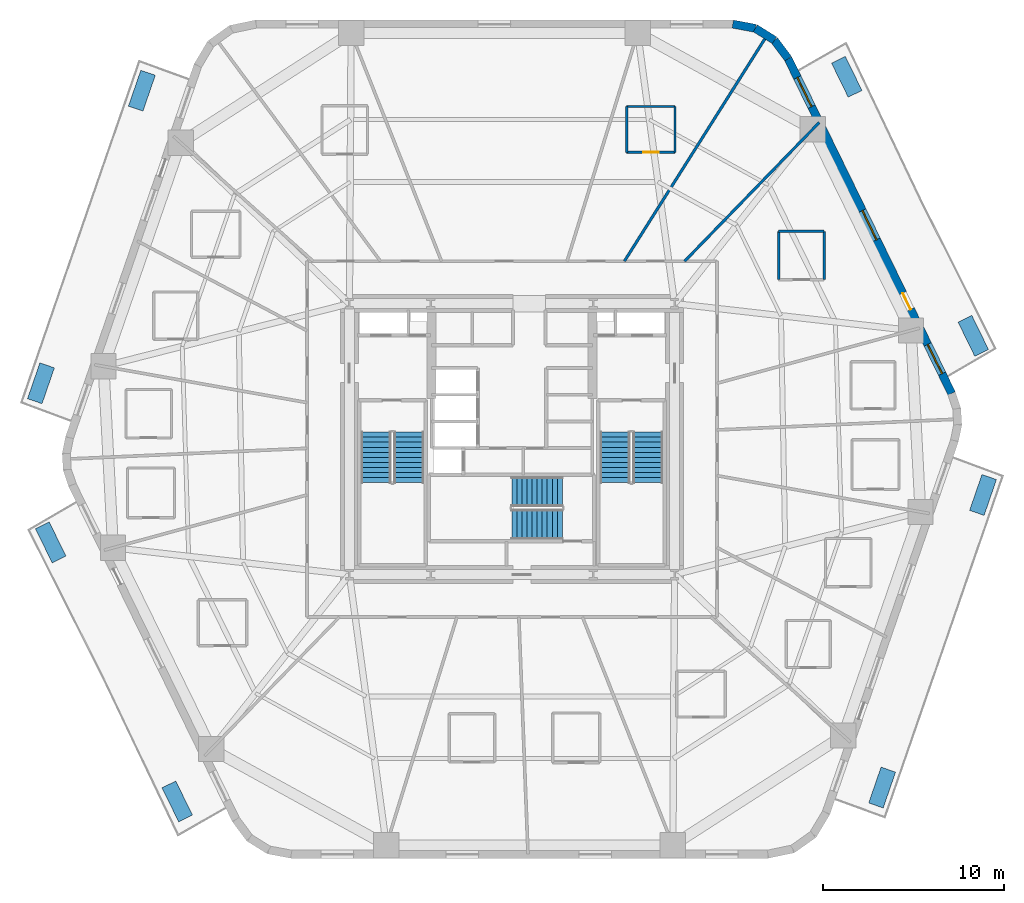
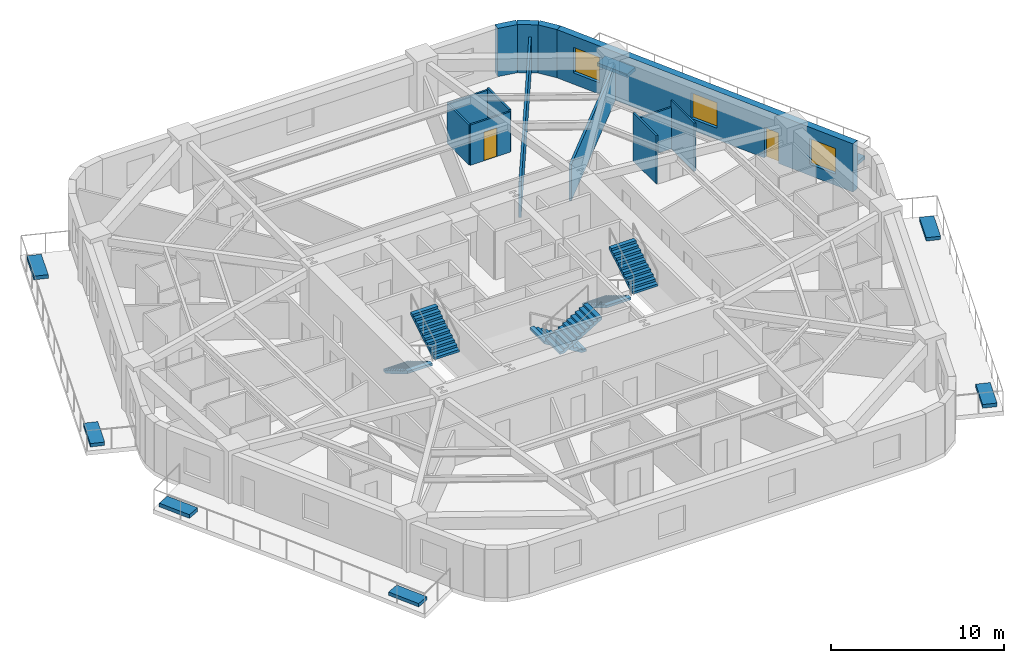
# One storey, part 7 of 10: 13 walls, 8 discrete accessories, 6 stair flights, 3 windows, 2 doors, 5 openings, 3 elements without a shape of their own.
"""IFC4 building model written with IfcOpenShell, lengths in metres."""

from ifc_helpers import new_model, si_unit, direction, frame, frame_2d, origin, origin_2d, place, context, subcontext, project, spatial, polyline, rectangle, outline, extrude, material, layer, layer_set, type_object, element, fill, aggregate, save


model = new_model("IFC4")

# Units and contexts
model_context = context("Model", 3, precision=1e-05, world=origin(), true_north=direction((0.0, 1.0)))
body_context = subcontext(model_context, "Body", "Model", "MODEL_VIEW")
ifc_project = project(units=[si_unit("LENGTHUNIT", "METRE"), si_unit("AREAUNIT", "SQUARE_METRE"), si_unit("VOLUMEUNIT", "CUBIC_METRE"), si_unit("PLANEANGLEUNIT", "RADIAN"), si_unit("MASSUNIT", "GRAM", prefix="KILO")], contexts=[model_context])

# Site, building, storey
site_placement = place(None, origin())
site = spatial("IfcSite", under=ifc_project, at=site_placement, CompositionType="ELEMENT")
building_placement = place(site_placement, origin())
building = spatial("IfcBuilding", under=site, at=building_placement, Name="Kilnhurst Terrace Hotel", CompositionType="ELEMENT")
storey_placement = place(building_placement, frame((0.0, 0.0, 49.0)))
storey = spatial("IfcBuildingStorey", under=building, at=storey_placement, Name="L10", CompositionType="ELEMENT", Elevation=49.0)

# Walls
ifc_material_1 = material(Name="Precast concrete C40/50", Category="concrete")
ifc_layer_1 = layer(ifc_material_1, 0.449951171875, Name="Precast concrete C40/50")
ifc_layer_set_1 = layer_set([ifc_layer_1], Name="Precast concrete C40/50")
wall_type_1 = type_object("IfcWallType", Name="WL-BRK-450", PredefinedType="SOLIDWALL", material=ifc_layer_set_1)
wall_1_placement = place(storey_placement, frame((15.28369140625, 21.0625, 0.0), z_axis=(0.0, 0.0, 1.0), x_axis=(-0.597595366449, 0.801797841104, 0.0)))
element("IfcWall", 1, at=wall_1_placement, inside=storey, type_object=wall_type_1, Name="L10 Rounded Corner Brick Wall C4.1", PredefinedType="SOLIDWALL", context=body_context, shape_type="SweptSolid", body=[
    extrude(rectangle(XDim=1.2685546875, YDim=0.449951171875, at=frame_2d((0.63427734375, 0.0))), origin(), (0.0, 0.0, 1.0), 3.39990234375),
])
wall_2_placement = place(storey_placement, frame((14.525634765625, 22.07958984375, 0.0), z_axis=(0.0, 0.0, 1.0), x_axis=(-0.848185203596, 0.529699783275, 0.0)))
element("IfcWall", 2, at=wall_2_placement, inside=storey, type_object=wall_type_1, Name="L10 Rounded Corner Brick Wall C4.2", PredefinedType="SOLIDWALL", context=body_context, shape_type="SweptSolid", body=[
    extrude(rectangle(XDim=1.247314453125, YDim=0.449951171875, at=frame_2d((0.62353515625, 0.0))), origin(), (0.0, 0.0, 1.0), 3.39990234375),
])
wall_3_placement = place(storey_placement, frame((13.4677734375, 22.740234375, 0.0), z_axis=(0.0, 0.0, 1.0), x_axis=(-0.982717174228, 0.185113358451, 0.0)))
element("IfcWall", 3, at=wall_3_placement, inside=storey, type_object=wall_type_1, Name="L10 Rounded Corner Brick Wall C4.3", PredefinedType="SOLIDWALL", context=body_context, shape_type="SweptSolid", body=[
    extrude(rectangle(XDim=1.268798828125, YDim=0.449951171875, at=frame_2d((0.63427734375, 0.0))), origin(), (0.0, 0.0, 1.0), 3.39990234375),
])

# Wall, openings, door, windows
wall_4_placement = place(storey_placement, frame((24.335693359375, 2.532470703125, 0.0), z_axis=(0.0, 0.0, 1.0), x_axis=(-0.438931326393, 0.898520612291, 0.0)))
wall_4 = element("IfcWall", 4, at=wall_4_placement, inside=storey, type_object=wall_type_1, Name="L10 Exterior Brick Facade Wall F3", PredefinedType="SOLIDWALL", context=body_context, shape_type="SweptSolid", body=[
    extrude(rectangle(XDim=20.622802734375, YDim=0.449951171875, at=frame_2d((10.3115234375, 0.0))), origin(), (0.0, 0.0, 1.0), 3.39990234375),
])
opening_1_placement = place(wall_4_placement, frame((5.1708984375, 0.0, 0.0)))
opening_1 = element("IfcOpeningElement", 5, at=opening_1_placement, cuts=wall_4, Name="Opening BD-1000", PredefinedType="OPENING", context=body_context, shape_type="SweptSolid", body=[
    extrude(rectangle(XDim=1.0, YDim=2.14990234375, at=frame_2d((0.5, 1.074951171875))), frame((0.0, 0.23486328125, 0.0), z_axis=(0.0, -1.0, 0.0), x_axis=(1.0, 0.0, 0.0)), (0.0, 0.0, 1.0), 0.469970703125),
])
opening_2_placement = place(wall_4_placement, frame((1.214111328125, 0.0, 0.800048828125)))
opening_2 = element("IfcOpeningElement", 6, at=opening_2_placement, cuts=wall_4, Name="Opening W-01", PredefinedType="OPENING", context=body_context, shape_type="SweptSolid", body=[
    extrude(rectangle(XDim=1.800048828125, YDim=1.800048828125, at=frame_2d((0.89990234375, 0.89990234375))), frame((0.0, 0.23486328125, 0.0), z_axis=(0.0, -1.0, 0.0), x_axis=(1.0, 0.0, 0.0)), (0.0, 0.0, 1.0), 0.469970703125),
])
opening_3_placement = place(wall_4_placement, frame((9.4619140625, 0.0, 0.800048828125)))
opening_3 = element("IfcOpeningElement", 7, at=opening_3_placement, cuts=wall_4, Name="Opening W-01", PredefinedType="OPENING", context=body_context, shape_type="SweptSolid", body=[
    extrude(rectangle(XDim=1.800048828125, YDim=1.800048828125, at=frame_2d((0.89990234375, 0.89990234375))), frame((0.0, 0.23486328125, 0.0), z_axis=(0.0, -1.0, 0.0), x_axis=(1.0, 0.0, 0.0)), (0.0, 0.0, 1.0), 0.469970703125),
])
opening_4_placement = place(wall_4_placement, frame((17.659912109375, 0.0, 0.800048828125)))
opening_4 = element("IfcOpeningElement", 8, at=opening_4_placement, cuts=wall_4, Name="Opening W-01", PredefinedType="OPENING", context=body_context, shape_type="SweptSolid", body=[
    extrude(rectangle(XDim=1.800048828125, YDim=1.800048828125, at=frame_2d((0.89990234375, 0.89990234375))), frame((0.0, 0.23486328125, 0.0), z_axis=(0.0, -1.0, 0.0), x_axis=(1.0, 0.0, 0.0)), (0.0, 0.0, 1.0), 0.469970703125),
])
ifc_material_2 = material(Name="Thermally Broken Bronze Aluminium Alloy 6063-T6 and Laminated Glass", Category="aluminium")
door_type_1 = type_object("IfcDoorType", Name="DR-EXT-BAL-1000", OperationType="NOTDEFINED", PredefinedType="DOOR", material=ifc_material_2)
door_1_placement = place(opening_1_placement, origin())
door_1 = element("IfcDoor", 9, at=door_1_placement, inside=storey, type_object=door_type_1, Name="L10 Planted Balcony Door BAL-L1B", OperationType="SINGLE_SWING_LEFT", OverallHeight=2.14990234375, OverallWidth=1.0, PredefinedType="DOOR", context=body_context, shape_type="SweptSolid", body=[
    extrude(rectangle(XDim=1.0, YDim=2.14990234375, at=frame_2d((0.5, 1.074951171875))), frame((0.0, 0.02490234375, 0.0), z_axis=(0.0, -1.0, 0.0), x_axis=(1.0, 0.0, 0.0)), (0.0, 0.0, 1.0), 0.050048828125),
])
fill(opening_1, door_1)
ifc_material_3 = material(Name="Thermally Broken Bronze Aluminium Alloy 6063-T6 and Low-E Glass", Category="aluminium")
window_type = type_object("IfcWindowType", Name="WIN-1800X1800", PartitioningType="SINGLE_PANEL", PredefinedType="WINDOW", material=ifc_material_3)
window_1_placement = place(opening_2_placement, origin())
window_1 = element("IfcWindow", 10, at=window_1_placement, inside=storey, type_object=window_type, Name="L10 Deep-Set Masonry Window F3.1", OverallHeight=1.800048828125, OverallWidth=1.800048828125, PartitioningType="SINGLE_PANEL", PredefinedType="WINDOW", context=body_context, shape_type="SweptSolid", body=[
    extrude(rectangle(XDim=1.800048828125, YDim=1.800048828125, at=frame_2d((0.89990234375, 0.89990234375))), frame((0.0, 0.030029296875, 0.0), z_axis=(0.0, -1.0, 0.0), x_axis=(1.0, 0.0, 0.0)), (0.0, 0.0, 1.0), 0.06005859375),
])
fill(opening_2, window_1)
window_2_placement = place(opening_3_placement, origin())
window_2 = element("IfcWindow", 11, at=window_2_placement, inside=storey, type_object=window_type, Name="L10 Deep-Set Masonry Window F3.2", OverallHeight=1.800048828125, OverallWidth=1.800048828125, PartitioningType="SINGLE_PANEL", PredefinedType="WINDOW", context=body_context, shape_type="SweptSolid", body=[
    extrude(rectangle(XDim=1.800048828125, YDim=1.800048828125, at=frame_2d((0.89990234375, 0.89990234375))), frame((0.0, 0.030029296875, 0.0), z_axis=(0.0, -1.0, 0.0), x_axis=(1.0, 0.0, 0.0)), (0.0, 0.0, 1.0), 0.06005859375),
])
fill(opening_3, window_2)
window_3_placement = place(opening_4_placement, origin())
window_3 = element("IfcWindow", 12, at=window_3_placement, inside=storey, type_object=window_type, Name="L10 Deep-Set Masonry Window F3.3", OverallHeight=1.800048828125, OverallWidth=1.800048828125, PartitioningType="SINGLE_PANEL", PredefinedType="WINDOW", context=body_context, shape_type="SweptSolid", body=[
    extrude(rectangle(XDim=1.800048828125, YDim=1.800048828125, at=frame_2d((0.89990234375, 0.89990234375))), frame((0.0, 0.030029296875, 0.0), z_axis=(0.0, -1.0, 0.0), x_axis=(1.0, 0.0, 0.0)), (0.0, 0.0, 1.0), 0.06005859375),
])
fill(opening_4, window_3)

# Walls
ifc_material_4 = material(Name="STC-58 Acoustic Twin-Frame Guestroom Demising Partition")
ifc_layer_2 = layer(ifc_material_4, 0.14990234375, Name="STC-58 Acoustic Twin-Frame Guestroom Demising Partition")
ifc_layer_set_2 = layer_set([ifc_layer_2], Name="STC-58 Acoustic Twin-Frame Guestroom Demising Partition")
wall_type_2 = type_object("IfcWallType", Name="WL-DEM-150", PredefinedType="PARTITIONING", material=ifc_layer_set_2)
wall_5_placement = place(storey_placement, frame((9.5576171875, 9.85009765625, 0.0), z_axis=(0.0, 0.0, 1.0), x_axis=(0.69638346089, 0.717669893056, 0.0)))
element("IfcWall", 13, at=wall_5_placement, inside=storey, type_object=wall_type_2, Name="L10 Interior Wall WL-L10-DEM-COL02-03-1", PredefinedType="PARTITIONING", context=body_context, shape_type="SweptSolid", body=[
    extrude(rectangle(XDim=10.700927734375, YDim=0.14990234375, at=frame_2d((5.3505859375, 0.0))), origin(), (0.0, 0.0, 1.0), 2.5400390625),
])
wall_6_placement = place(storey_placement, frame((6.222412109375, 9.85009765625, 0.0), z_axis=(0.0, 0.0, 1.0), x_axis=(0.534069056435, 0.845440857162, 0.0)))
element("IfcWall", 14, at=wall_6_placement, inside=storey, type_object=wall_type_2, Name="L10 Interior Wall WL-L10-DEM-MID02-04-1", PredefinedType="PARTITIONING", context=body_context, shape_type="SweptSolid", body=[
    extrude(rectangle(XDim=14.611328125, YDim=0.14990234375, at=frame_2d((7.3056640625, 0.0))), origin(), (0.0, 0.0, 1.0), 2.5400390625),
])
ifc_material_5 = material(Name="120 mm Moisture-Resistant Tile-Backed Bathroom Partition")
ifc_layer_3 = layer(ifc_material_5, 0.1201171875, Name="120 mm Moisture-Resistant Tile-Backed Bathroom Partition")
ifc_layer_set_3 = layer_set([ifc_layer_3], Name="120 mm Moisture-Resistant Tile-Backed Bathroom Partition")
wall_type_3 = type_object("IfcWallType", Name="WL-PART-120", PredefinedType="PARTITIONING", material=ifc_layer_set_3)
wall_7_placement = place(storey_placement, frame((17.283935546875, 8.824951171875, 0.0), z_axis=(0.0, 0.0, 1.0), x_axis=(0.0, 1.0, 0.0)))
element("IfcWall", 15, at=wall_7_placement, inside=storey, type_object=wall_type_3, Name="L10 Interior Wall WL-L10-BTH-02-2", PredefinedType="PARTITIONING", context=body_context, shape_type="SweptSolid", body=[
    extrude(rectangle(XDim=2.679931640625, YDim=0.1201171875, at=frame_2d((1.33984375, 0.0))), origin(), (0.0, 0.0, 1.0), 3.39990234375),
])
wall_8_placement = place(storey_placement, frame((17.283935546875, 11.5048828125, 0.0), z_axis=(0.0, 0.0, 1.0), x_axis=(-1.0, 0.0, 0.0)))
element("IfcWall", 16, at=wall_8_placement, inside=storey, type_object=wall_type_3, Name="L10 Interior Wall WL-L10-BTH-02-3", PredefinedType="PARTITIONING", context=body_context, shape_type="SweptSolid", body=[
    extrude(rectangle(XDim=2.52001953125, YDim=0.1201171875, at=frame_2d((1.260009765625, 0.0))), origin(), (0.0, 0.0, 1.0), 2.926513671875),
])
wall_9_placement = place(storey_placement, frame((14.763916015625, 11.5048828125, 0.0), z_axis=(0.0, 0.0, 1.0), x_axis=(0.0, -1.0, 0.0)))
element("IfcWall", 17, at=wall_9_placement, inside=storey, type_object=wall_type_3, Name="L10 Interior Wall WL-L10-BTH-02-4", PredefinedType="PARTITIONING", context=body_context, shape_type="SweptSolid", body=[
    extrude(rectangle(XDim=2.679931640625, YDim=0.1201171875, at=frame_2d((1.33984375, 0.0))), origin(), (0.0, 0.0, 1.0), 3.39990234375),
])

# Wall, opening, door
wall_10_placement = place(storey_placement, frame((6.35107421875, 15.876953125, 0.0), z_axis=(0.0, 0.0, 1.0), x_axis=(1.0, 0.0, 0.0)))
wall_10 = element("IfcWall", 18, at=wall_10_placement, inside=storey, type_object=wall_type_3, Name="L10 Interior Wall WL-L10-BTH-04-1", PredefinedType="PARTITIONING", context=body_context, shape_type="SweptSolid", body=[
    extrude(rectangle(XDim=2.679931640625, YDim=0.1201171875, at=frame_2d((1.33984375, 0.0))), origin(), (0.0, 0.0, 1.0), 2.840087890625),
])
opening_5_placement = place(wall_10_placement, frame((0.9150390625, 0.0, 0.0)))
opening_5 = element("IfcOpeningElement", 19, at=opening_5_placement, cuts=wall_10, Name="Opening D-08A", PredefinedType="OPENING", context=body_context, shape_type="SweptSolid", body=[
    extrude(rectangle(XDim=0.85009765625, YDim=2.030029296875, at=frame_2d((0.425048828125, 1.01513671875))), frame((0.0, 0.070068359375, 0.0), z_axis=(0.0, -1.0, 0.0), x_axis=(1.0, 0.0, 0.0)), (0.0, 0.0, 1.0), 0.14013671875),
])
ifc_material_6 = material(Name="Moisture-Resistant Lacquered En-suite Bathroom Door")
door_type_2 = type_object("IfcDoorType", Name="DR-INT-850", OperationType="NOTDEFINED", PredefinedType="DOOR", material=ifc_material_6)
door_2_placement = place(opening_5_placement, origin())
door_2 = element("IfcDoor", 20, at=door_2_placement, inside=storey, type_object=door_type_2, Name="L10 En-suite Bathroom Door 4", OperationType="SINGLE_SWING_LEFT", OverallHeight=2.030029296875, OverallWidth=0.85009765625, PredefinedType="DOOR", context=body_context, shape_type="SweptSolid", body=[
    extrude(rectangle(XDim=0.85009765625, YDim=2.030029296875, at=frame_2d((0.425048828125, 1.01513671875))), frame((0.0, 0.02490234375, 0.0), z_axis=(0.0, -1.0, 0.0), x_axis=(1.0, 0.0, 0.0)), (0.0, 0.0, 1.0), 0.050048828125),
])
fill(opening_5, door_2)

# Walls
wall_11_placement = place(storey_placement, frame((9.031005859375, 15.876953125, 0.0), z_axis=(0.0, 0.0, 1.0), x_axis=(0.0, 1.0, 0.0)))
element("IfcWall", 21, at=wall_11_placement, inside=storey, type_object=wall_type_3, Name="L10 Interior Wall WL-L10-BTH-04-2", PredefinedType="PARTITIONING", context=body_context, shape_type="SweptSolid", body=[
    extrude(rectangle(XDim=2.5400390625, YDim=0.1201171875, at=frame_2d((1.27001953125, 0.0))), origin(), (0.0, 0.0, 1.0), 2.972412109375),
])
wall_12_placement = place(storey_placement, frame((9.031005859375, 18.4169921875, 0.0), z_axis=(0.0, 0.0, 1.0), x_axis=(-1.0, 0.0, 0.0)))
element("IfcWall", 22, at=wall_12_placement, inside=storey, type_object=wall_type_3, Name="L10 Interior Wall WL-L10-BTH-04-3", PredefinedType="PARTITIONING", context=body_context, shape_type="SweptSolid", body=[
    extrude(rectangle(XDim=2.679931640625, YDim=0.1201171875, at=frame_2d((1.33984375, 0.0))), origin(), (0.0, 0.0, 1.0), 2.840087890625),
])
wall_13_placement = place(storey_placement, frame((6.35107421875, 18.4169921875, 0.0), z_axis=(0.0, 0.0, 1.0), x_axis=(0.0, -1.0, 0.0)))
element("IfcWall", 23, at=wall_13_placement, inside=storey, type_object=wall_type_3, Name="L10 Interior Wall WL-L10-BTH-04-4", PredefinedType="PARTITIONING", context=body_context, shape_type="SweptSolid", body=[
    extrude(rectangle(XDim=2.5400390625, YDim=0.1201171875, at=frame_2d((1.27001953125, 0.0))), origin(), (0.0, 0.0, 1.0), 2.840576171875),
])

# Stair, stair flights
ifc_material_7 = material(Name="Concrete C50/60", Category="concrete")
stair_type = type_object("IfcStairType", Name="STR-CORE-1660", PredefinedType="HALF_TURN_STAIR", material=ifc_material_7)
stair_1_placement = place(storey_placement, origin())
stair_1 = element("IfcStair", 24, at=stair_1_placement, inside=storey, type_object=stair_type, Name="L10 ST-1", PredefinedType="HALF_TURN_STAIR")
stair_flight_type = type_object("IfcStairFlightType", Name="FLT-RC-1660", PredefinedType="STRAIGHT", material=ifc_material_7)
stair_flight_1_placement = place(storey_placement, frame((-7.52001953125, 0.389892578125, 0.0), z_axis=(0.0, 0.0, 1.0), x_axis=(0.0, -1.0, 0.0)))
stair_flight_1 = element("IfcStairFlight", 25, at=stair_flight_1_placement, type_object=stair_flight_type, Name="ST-1 flight 1", NumberOfRisers=11, NumberOfTreads=10, PredefinedType="STRAIGHT", RiserHeight=0.168181818, TreadLength=0.28, context=body_context, shape_type="SweptSolid", body=[
    extrude(outline(polyline([(0.0, 0.0), (0.0, 0.168212890625), (0.280029296875, 0.168212890625), (0.280029296875, 0.33642578125), (0.56005859375, 0.33642578125), (0.56005859375, 0.504638671875), (0.840087890625, 0.504638671875), (0.840087890625, 0.672607421875), (1.1201171875, 0.672607421875), (1.1201171875, 0.8408203125), (1.39990234375, 0.8408203125), (1.39990234375, 1.009033203125), (1.679931640625, 1.009033203125), (1.679931640625, 1.17724609375), (1.9599609375, 1.17724609375), (1.9599609375, 1.345458984375), (2.239990234375, 1.345458984375), (2.239990234375, 1.513671875), (2.52001953125, 1.513671875), (2.52001953125, 1.681884765625), (2.800048828125, 1.681884765625), (2.800048828125, 1.85009765625), (2.800048828125, 1.5068359375), (0.291015625, 0.0), (0.0, 0.0)])), frame((0.0, 0.830078125, 0.0), z_axis=(0.0, -1.0, 0.0), x_axis=(1.0, 0.0, 0.0)), (0.0, 0.0, 1.0), 1.659912109375),
])
stair_flight_2_placement = place(storey_placement, frame((-5.7099609375, -2.409912109375, 1.85009765625), z_axis=(0.0, 0.0, 1.0), x_axis=(0.0, 1.0, 0.0)))
stair_flight_2 = element("IfcStairFlight", 26, at=stair_flight_2_placement, type_object=stair_flight_type, Name="ST-1 flight 2", NumberOfRisers=11, NumberOfTreads=10, PredefinedType="STRAIGHT", RiserHeight=0.168181818, TreadLength=0.28, context=body_context, shape_type="SweptSolid", body=[
    extrude(outline(polyline([(0.0, 0.0), (0.0, 0.168212890625), (0.280029296875, 0.168212890625), (0.280029296875, 0.33642578125), (0.56005859375, 0.33642578125), (0.56005859375, 0.504638671875), (0.840087890625, 0.504638671875), (0.840087890625, 0.672607421875), (1.1201171875, 0.672607421875), (1.1201171875, 0.8408203125), (1.39990234375, 0.8408203125), (1.39990234375, 1.009033203125), (1.679931640625, 1.009033203125), (1.679931640625, 1.17724609375), (1.9599609375, 1.17724609375), (1.9599609375, 1.345458984375), (2.239990234375, 1.345458984375), (2.239990234375, 1.513671875), (2.52001953125, 1.513671875), (2.52001953125, 1.681884765625), (2.800048828125, 1.681884765625), (2.800048828125, 1.85009765625), (2.800048828125, 1.5068359375), (0.291015625, 0.0), (0.0, 0.0)])), frame((0.0, 0.830078125, 0.0), z_axis=(0.0, -1.0, 0.0), x_axis=(1.0, 0.0, 0.0)), (0.0, 0.0, 1.0), 1.659912109375),
])
aggregate(stair_1, [stair_flight_1, stair_flight_2])

stair_2_placement = place(storey_placement, origin())
stair_2 = element("IfcStair", 27, at=stair_2_placement, inside=storey, type_object=stair_type, Name="L10 ST-2", PredefinedType="HALF_TURN_STAIR")
stair_flight_3_placement = place(storey_placement, frame((5.7099609375, 0.389892578125, 0.0), z_axis=(0.0, 0.0, 1.0), x_axis=(0.0, -1.0, 0.0)))
stair_flight_3 = element("IfcStairFlight", 28, at=stair_flight_3_placement, type_object=stair_flight_type, Name="ST-2 flight 1", NumberOfRisers=11, NumberOfTreads=10, PredefinedType="STRAIGHT", RiserHeight=0.168181818, TreadLength=0.28, context=body_context, shape_type="SweptSolid", body=[
    extrude(outline(polyline([(0.0, 0.0), (0.0, 0.168212890625), (0.280029296875, 0.168212890625), (0.280029296875, 0.33642578125), (0.56005859375, 0.33642578125), (0.56005859375, 0.504638671875), (0.840087890625, 0.504638671875), (0.840087890625, 0.672607421875), (1.1201171875, 0.672607421875), (1.1201171875, 0.8408203125), (1.39990234375, 0.8408203125), (1.39990234375, 1.009033203125), (1.679931640625, 1.009033203125), (1.679931640625, 1.17724609375), (1.9599609375, 1.17724609375), (1.9599609375, 1.345458984375), (2.239990234375, 1.345458984375), (2.239990234375, 1.513671875), (2.52001953125, 1.513671875), (2.52001953125, 1.681884765625), (2.800048828125, 1.681884765625), (2.800048828125, 1.85009765625), (2.800048828125, 1.5068359375), (0.291015625, 0.0), (0.0, 0.0)])), frame((0.0, 0.830078125, 0.0), z_axis=(0.0, -1.0, 0.0), x_axis=(1.0, 0.0, 0.0)), (0.0, 0.0, 1.0), 1.659912109375),
])
stair_flight_4_placement = place(storey_placement, frame((7.52001953125, -2.409912109375, 1.85009765625), z_axis=(0.0, 0.0, 1.0), x_axis=(0.0, 1.0, 0.0)))
stair_flight_4 = element("IfcStairFlight", 29, at=stair_flight_4_placement, type_object=stair_flight_type, Name="ST-2 flight 2", NumberOfRisers=11, NumberOfTreads=10, PredefinedType="STRAIGHT", RiserHeight=0.168181818, TreadLength=0.28, context=body_context, shape_type="SweptSolid", body=[
    extrude(outline(polyline([(0.0, 0.0), (0.0, 0.168212890625), (0.280029296875, 0.168212890625), (0.280029296875, 0.33642578125), (0.56005859375, 0.33642578125), (0.56005859375, 0.504638671875), (0.840087890625, 0.504638671875), (0.840087890625, 0.672607421875), (1.1201171875, 0.672607421875), (1.1201171875, 0.8408203125), (1.39990234375, 0.8408203125), (1.39990234375, 1.009033203125), (1.679931640625, 1.009033203125), (1.679931640625, 1.17724609375), (1.9599609375, 1.17724609375), (1.9599609375, 1.345458984375), (2.239990234375, 1.345458984375), (2.239990234375, 1.513671875), (2.52001953125, 1.513671875), (2.52001953125, 1.681884765625), (2.800048828125, 1.681884765625), (2.800048828125, 1.85009765625), (2.800048828125, 1.5068359375), (0.291015625, 0.0), (0.0, 0.0)])), frame((0.0, 0.830078125, 0.0), z_axis=(0.0, -1.0, 0.0), x_axis=(1.0, 0.0, 0.0)), (0.0, 0.0, 1.0), 1.659912109375),
])
aggregate(stair_2, [stair_flight_3, stair_flight_4])

stair_3_placement = place(storey_placement, origin())
stair_3 = element("IfcStair", 30, at=stair_3_placement, inside=storey, type_object=stair_type, Name="L10 ST-3", PredefinedType="HALF_TURN_STAIR")
stair_flight_5_placement = place(storey_placement, frame((2.7900390625, -2.909912109375, 0.0), z_axis=(0.0, 0.0, 1.0), x_axis=(-1.0, 0.0, 0.0)))
stair_flight_5 = element("IfcStairFlight", 31, at=stair_flight_5_placement, type_object=stair_flight_type, Name="ST-3 flight 1", NumberOfRisers=11, NumberOfTreads=10, PredefinedType="STRAIGHT", RiserHeight=0.168181818, TreadLength=0.28, context=body_context, shape_type="SweptSolid", body=[
    extrude(outline(polyline([(0.0, 0.0), (0.0, 0.168212890625), (0.280029296875, 0.168212890625), (0.280029296875, 0.33642578125), (0.56005859375, 0.33642578125), (0.56005859375, 0.504638671875), (0.840087890625, 0.504638671875), (0.840087890625, 0.672607421875), (1.1201171875, 0.672607421875), (1.1201171875, 0.8408203125), (1.39990234375, 0.8408203125), (1.39990234375, 1.009033203125), (1.679931640625, 1.009033203125), (1.679931640625, 1.17724609375), (1.9599609375, 1.17724609375), (1.9599609375, 1.345458984375), (2.239990234375, 1.345458984375), (2.239990234375, 1.513671875), (2.52001953125, 1.513671875), (2.52001953125, 1.681884765625), (2.800048828125, 1.681884765625), (2.800048828125, 1.85009765625), (2.800048828125, 1.5068359375), (0.291015625, 0.0), (0.0, 0.0)])), frame((0.0, 0.830078125, 0.0), z_axis=(0.0, -1.0, 0.0), x_axis=(1.0, 0.0, 0.0)), (0.0, 0.0, 1.0), 1.659912109375),
])
stair_flight_6_placement = place(storey_placement, frame((-0.010009765625, -4.719970703125, 1.85009765625), z_axis=(0.0, 0.0, 1.0), x_axis=(1.0, 0.0, 0.0)))
stair_flight_6 = element("IfcStairFlight", 32, at=stair_flight_6_placement, type_object=stair_flight_type, Name="ST-3 flight 2", NumberOfRisers=11, NumberOfTreads=10, PredefinedType="STRAIGHT", RiserHeight=0.168181818, TreadLength=0.28, context=body_context, shape_type="SweptSolid", body=[
    extrude(outline(polyline([(0.0, 0.0), (0.0, 0.168212890625), (0.280029296875, 0.168212890625), (0.280029296875, 0.33642578125), (0.56005859375, 0.33642578125), (0.56005859375, 0.504638671875), (0.840087890625, 0.504638671875), (0.840087890625, 0.672607421875), (1.1201171875, 0.672607421875), (1.1201171875, 0.8408203125), (1.39990234375, 0.8408203125), (1.39990234375, 1.009033203125), (1.679931640625, 1.009033203125), (1.679931640625, 1.17724609375), (1.9599609375, 1.17724609375), (1.9599609375, 1.345458984375), (2.239990234375, 1.345458984375), (2.239990234375, 1.513671875), (2.52001953125, 1.513671875), (2.52001953125, 1.681884765625), (2.800048828125, 1.681884765625), (2.800048828125, 1.85009765625), (2.800048828125, 1.5068359375), (0.291015625, 0.0), (0.0, 0.0)])), frame((0.0, 0.830078125, 0.0), z_axis=(0.0, -1.0, 0.0), x_axis=(1.0, 0.0, 0.0)), (0.0, 0.0, 1.0), 1.659912109375),
])
aggregate(stair_3, [stair_flight_5, stair_flight_6])

# Discrete accessories
ifc_material_8 = material(Name="Precast Concrete C40/50 Shrub Planter", Category="concrete")
discrete_accessory_type_1 = type_object("IfcDiscreteAccessoryType", Name="PLN-SHRUB-240", PredefinedType="USERDEFINED", material=ifc_material_8)
for number, where, z_axis, x_axis, name in (
    (33, (26.073486328125, -3.09130859375, 0.0), (0.0, 0.0, 1.0), (0.326063182175, 0.94534797891, 0.0), "L10 Structural Tree Planter Box PLANTER BAL-L1A.2"),
    (34, (18.52978515625, 20.05615234375, 0.0), (0.0, 0.0, 1.0), (-0.438935789176, 0.898518432188, 0.0), "L10 Structural Tree Planter Box PLANTER BAL-L1B.2"),
    (35, (-26.073486328125, 3.09130859375, 0.0), (0.0, 0.0, 1.0), (-0.326063182175, -0.94534797891, 0.0), "L10 Structural Tree Planter Box PLANTER BAL-L2A.2"),
    (36, (-18.52978515625, -20.05615234375, 0.0), (0.0, 0.0, 1.0), (0.438935789176, -0.898518432188, 0.0), "L10 Structural Tree Planter Box PLANTER BAL-L2B.2"),
):
    element("IfcDiscreteAccessory", number, at=place(storey_placement, frame(where, z_axis=z_axis, x_axis=x_axis)), inside=storey, type_object=discrete_accessory_type_1, Name=name, ObjectType="PLANTER", PredefinedType="USERDEFINED", context=body_context, shape_type="SweptSolid", body=[
        extrude(rectangle(XDim=2.10009765625, YDim=0.85009765625, at=origin_2d()), origin(), (0.0, 0.0, 1.0), 0.239990234375),
    ])
ifc_material_9 = material(Name="Precast Concrete C40/50 Tree Planter", Category="concrete")
discrete_accessory_type_2 = type_object("IfcDiscreteAccessoryType", Name="PLN-TREE-260", PredefinedType="USERDEFINED", material=ifc_material_9)
for number, where, z_axis, x_axis, name in (
    (37, (20.488037109375, -19.285888671875, 0.0), (0.0, 0.0, 1.0), (0.326063182175, 0.94534797891, 0.0), "L10 Structural Tree Planter Box PLANTER BAL-L1A.1"),
    (38, (25.534423828125, 5.717041015625, 0.0), (0.0, 0.0, 1.0), (-0.438935789176, 0.898518432188, 0.0), "L10 Structural Tree Planter Box PLANTER BAL-L1B.1"),
    (39, (-20.488037109375, 19.285888671875, 0.0), (0.0, 0.0, 1.0), (-0.326063182175, -0.94534797891, 0.0), "L10 Structural Tree Planter Box PLANTER BAL-L2A.1"),
    (40, (-25.534423828125, -5.717041015625, 0.0), (0.0, 0.0, 1.0), (0.438935789176, -0.898518432188, 0.0), "L10 Structural Tree Planter Box PLANTER BAL-L2B.1"),
):
    element("IfcDiscreteAccessory", number, at=place(storey_placement, frame(where, z_axis=z_axis, x_axis=x_axis)), inside=storey, type_object=discrete_accessory_type_2, Name=name, ObjectType="PLANTER", PredefinedType="USERDEFINED", context=body_context, shape_type="SweptSolid", body=[
        extrude(rectangle(XDim=2.10009765625, YDim=0.85009765625, at=origin_2d()), origin(), (0.0, 0.0, 1.0), 0.260009765625),
    ])

save(model, "model.ifc")
